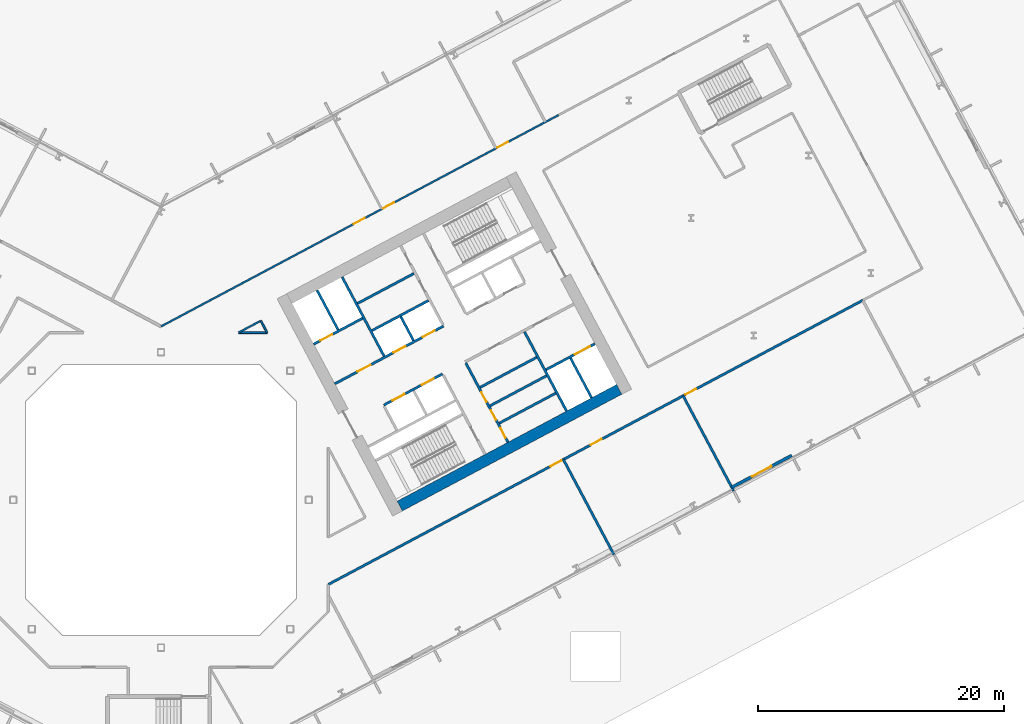
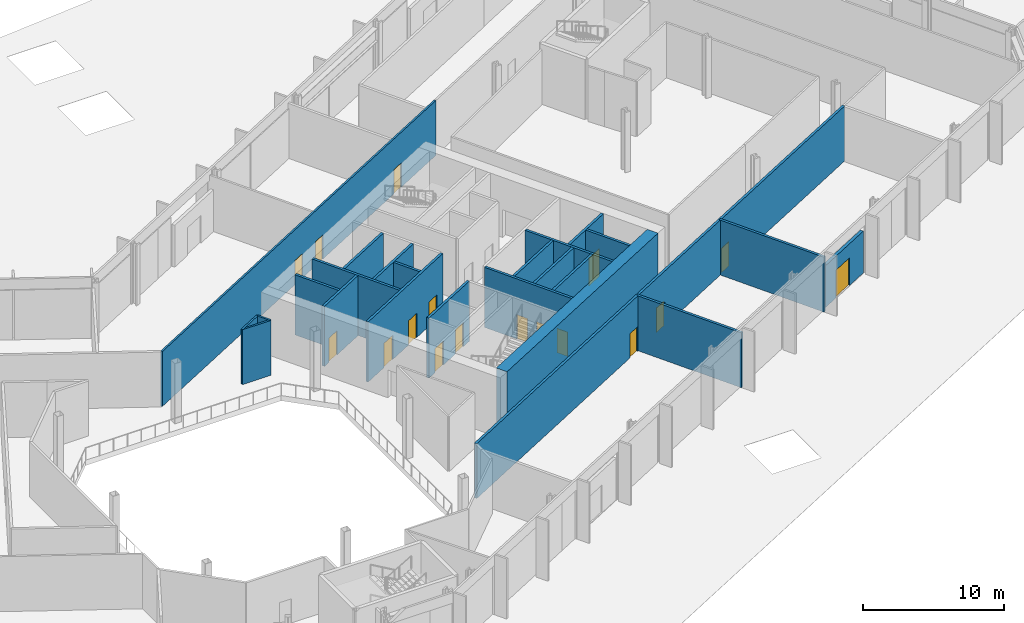
# One storey, part 15 of 30: 24 walls, 17 doors, 17 openings.
"""IFC4 building model written with IfcOpenShell, lengths in metres."""

from ifc_helpers import new_model, si_unit, direction, frame, frame_2d, origin, place, context, subcontext, project, spatial, rectangle, extrude, material, layer, layer_set, type_object, element, fill, save


model = new_model("IFC4")

# Units and contexts
model_context = context("Model", 3, precision=1e-05, world=origin(), true_north=direction((0.0, 1.0)))
body_context = subcontext(model_context, "Body", "Model", "MODEL_VIEW")
ifc_project = project(units=[si_unit("LENGTHUNIT", "METRE"), si_unit("AREAUNIT", "SQUARE_METRE"), si_unit("VOLUMEUNIT", "CUBIC_METRE"), si_unit("PLANEANGLEUNIT", "RADIAN"), si_unit("MASSUNIT", "GRAM", prefix="KILO")], contexts=[model_context])

# Site, building, storey
site_placement = place(None, origin())
site = spatial("IfcSite", under=ifc_project, at=site_placement, CompositionType="ELEMENT")
building_placement = place(site_placement, origin())
building = spatial("IfcBuilding", under=site, at=building_placement, Name="Cormorant Relay Tower", CompositionType="ELEMENT")
storey_placement = place(building_placement, frame((0.0, 0.0, 7.0)))
storey = spatial("IfcBuildingStorey", under=building, at=storey_placement, Name="L01", CompositionType="ELEMENT", Elevation=7.0)

# Walls
ifc_material_1 = material(Name="Concrete 40 MPa", Category="concrete")
ifc_layer_1 = layer(ifc_material_1, 0.199951171875)
ifc_layer_set_1 = layer_set([ifc_layer_1], Name="Core internal wall 200")
wall_type_1 = type_object("IfcWallType", Name="Core internal wall 200", PredefinedType="SOLIDWALL", material=ifc_layer_set_1)
wall_1_placement = place(storey_placement, frame((20.522216796875, 12.950439453125, 0.0), z_axis=(0.0, 0.0, 1.0), x_axis=(-0.469401318492, 0.882984938828, 0.0)))
element("IfcWall", 1, at=wall_1_placement, inside=storey, type_object=wall_type_1, Name="L01 core B shaft and room wall", PredefinedType="SOLIDWALL", context=body_context, shape_type="SweptSolid", body=[
    extrude(rectangle(XDim=2.199951171875, YDim=0.199951171875, at=frame_2d((1.10009765625, 0.0))), origin(), (0.0, 0.0, 1.0), 5.199951171875),
])
for number, where, z_axis, x_axis, name in (
    (2, (27.490234375, 6.23583984375, 0.0), (0.0, 0.0, 1.0), (0.882953967957, 0.469459572775, 0.0), "L01 core B shaft and room wall"),
    (3, (26.739013671875, 7.6484375, 0.0), (0.0, 0.0, 1.0), (0.882934506056, 0.469496174655, 0.0), "L01 core B shaft and room wall"),
    (4, (15.97314453125, 15.968017578125, 0.0), (0.0, 0.0, 1.0), (0.882953967957, 0.469459572775, 0.0), "L01 core B shaft and room wall"),
):
    element("IfcWall", number, at=place(storey_placement, frame(where, z_axis=z_axis, x_axis=x_axis)), inside=storey, type_object=wall_type_1, Name=name, PredefinedType="SOLIDWALL", context=body_context, shape_type="SweptSolid", body=[
        extrude(rectangle(XDim=5.199951171875, YDim=0.199951171875, at=frame_2d((2.60009765625, 0.0))), origin(), (0.0, 0.0, 1.0), 5.199951171875),
    ])
ifc_material_2 = material(Name="Concrete 50 MPa", Category="concrete")
ifc_layer_2 = layer(ifc_material_2, 0.199951171875)
ifc_layer_set_2 = layer_set([ifc_layer_2], Name="Core shaft wall 200")
wall_type_2 = type_object("IfcWallType", Name="Core shaft wall 200", PredefinedType="SHEAR", material=ifc_layer_set_2)
wall_2_placement = place(storey_placement, frame((14.39404296875, 13.825927734375, 0.0), z_axis=(0.0, 0.0, 1.0), x_axis=(-0.469494272526, 0.882935517501, 0.0)))
element("IfcWall", 5, at=wall_2_placement, inside=storey, type_object=wall_type_2, Name="L01 core B shaft wall", PredefinedType="SHEAR", context=body_context, shape_type="SweptSolid", body=[
    extrude(rectangle(XDim=3.64990234375, YDim=0.199951171875, at=frame_2d((1.824951171875, 0.0))), origin(), (0.0, 0.0, 1.0), 5.199951171875),
])
wall_3_placement = place(storey_placement, frame((18.138427734375, 11.682861328125, 0.0), z_axis=(0.0, 0.0, 1.0), x_axis=(-0.469480409012, 0.88294288918, 0.0)))
element("IfcWall", 6, at=wall_3_placement, inside=storey, type_object=wall_type_2, Name="L01 core B shaft wall", PredefinedType="SHEAR", context=body_context, shape_type="SweptSolid", body=[
    extrude(rectangle(XDim=7.300048828125, YDim=0.199951171875, at=frame_2d((3.64990234375, 0.0))), origin(), (0.0, 0.0, 1.0), 5.199951171875),
])

# Wall, openings, doors
wall_4_placement = place(storey_placement, frame((28.199951171875, 4.687744140625, 0.0), z_axis=(0.0, 0.0, 1.0), x_axis=(-0.469454336211, 0.882956752176, 0.0)))
wall_4 = element("IfcWall", 7, at=wall_4_placement, inside=storey, type_object=wall_type_2, Name="L01 core B shaft wall", PredefinedType="SHEAR", context=body_context, shape_type="SweptSolid", body=[
    extrude(rectangle(XDim=7.300048828125, YDim=0.199951171875, at=frame_2d((3.64990234375, 0.0))), origin(), (0.0, 0.0, 1.0), 5.199951171875),
])
opening_1_placement = place(wall_4_placement, frame((0.39990234375, 0.0, 0.0)))
opening_1 = element("IfcOpeningElement", 8, at=opening_1_placement, cuts=wall_4, Name="Opening CDD-060", PredefinedType="OPENING", context=body_context, shape_type="SweptSolid", body=[
    extrude(rectangle(XDim=0.89990234375, YDim=2.10009765625, at=frame_2d((0.449951171875, 1.050048828125))), frame((0.0, 0.10986328125, 0.0), z_axis=(0.0, -1.0, 0.0), x_axis=(1.0, 0.0, 0.0)), (0.0, 0.0, 1.0), 0.219970703125),
])
opening_2_placement = place(wall_4_placement, frame((2.050048828125, 0.0, 0.0)))
opening_2 = element("IfcOpeningElement", 9, at=opening_2_placement, cuts=wall_4, Name="Opening CDD-061", PredefinedType="OPENING", context=body_context, shape_type="SweptSolid", body=[
    extrude(rectangle(XDim=0.89990234375, YDim=2.10009765625, at=frame_2d((0.449951171875, 1.050048828125))), frame((0.0, 0.10986328125, 0.0), z_axis=(0.0, -1.0, 0.0), x_axis=(1.0, 0.0, 0.0)), (0.0, 0.0, 1.0), 0.219970703125),
])
opening_3_placement = place(wall_4_placement, frame((3.699951171875, 0.0, 0.0)))
opening_3 = element("IfcOpeningElement", 10, at=opening_3_placement, cuts=wall_4, Name="Opening CDD-062", PredefinedType="OPENING", context=body_context, shape_type="SweptSolid", body=[
    extrude(rectangle(XDim=0.89990234375, YDim=2.10009765625, at=frame_2d((0.449951171875, 1.050048828125))), frame((0.0, 0.10986328125, 0.0), z_axis=(0.0, -1.0, 0.0), x_axis=(1.0, 0.0, 0.0)), (0.0, 0.0, 1.0), 0.219970703125),
])
ifc_material_3 = material(Name="Steel fire door", Category="steel")
door_type_1 = type_object("IfcDoorType", Name="Core room door 900x2100", OperationType="SINGLE_SWING_LEFT", PredefinedType="DOOR", material=ifc_material_3)
door_1_placement = place(opening_1_placement, frame((0.89990234375, 0.0, 0.0), z_axis=(0.0, 0.0, 1.0), x_axis=(-1.0, 0.0, 0.0)))
door_1 = element("IfcDoor", 11, at=door_1_placement, inside=storey, type_object=door_type_1, Name="Core room door 900x2100", OperationType="SINGLE_SWING_LEFT", OverallHeight=2.10009765625, OverallWidth=0.89990234375, PredefinedType="DOOR", context=body_context, shape_type="SweptSolid", body=[
    extrude(rectangle(XDim=0.89990234375, YDim=2.10009765625, at=frame_2d((0.449951171875, 1.050048828125))), frame((0.0, 0.02490234375, 0.0), z_axis=(0.0, -1.0, 0.0), x_axis=(1.0, 0.0, 0.0)), (0.0, 0.0, 1.0), 0.050048828125),
])
fill(opening_1, door_1)
door_2_placement = place(opening_2_placement, frame((0.89990234375, 0.0, 0.0), z_axis=(0.0, 0.0, 1.0), x_axis=(-1.0, 0.0, 0.0)))
door_2 = element("IfcDoor", 12, at=door_2_placement, inside=storey, type_object=door_type_1, Name="Core room door 900x2100", OperationType="SINGLE_SWING_LEFT", OverallHeight=2.10009765625, OverallWidth=0.89990234375, PredefinedType="DOOR", context=body_context, shape_type="SweptSolid", body=[
    extrude(rectangle(XDim=0.89990234375, YDim=2.10009765625, at=frame_2d((0.449951171875, 1.050048828125))), frame((0.0, 0.02490234375, 0.0), z_axis=(0.0, -1.0, 0.0), x_axis=(1.0, 0.0, 0.0)), (0.0, 0.0, 1.0), 0.050048828125),
])
fill(opening_2, door_2)
door_3_placement = place(opening_3_placement, frame((0.89990234375, 0.0, 0.0), z_axis=(0.0, 0.0, 1.0), x_axis=(-1.0, 0.0, 0.0)))
door_3 = element("IfcDoor", 13, at=door_3_placement, inside=storey, type_object=door_type_1, Name="Core room door 900x2100", OperationType="SINGLE_SWING_LEFT", OverallHeight=2.10009765625, OverallWidth=0.89990234375, PredefinedType="DOOR", context=body_context, shape_type="SweptSolid", body=[
    extrude(rectangle(XDim=0.89990234375, YDim=2.10009765625, at=frame_2d((0.449951171875, 1.050048828125))), frame((0.0, 0.02490234375, 0.0), z_axis=(0.0, -1.0, 0.0), x_axis=(1.0, 0.0, 0.0)), (0.0, 0.0, 1.0), 0.050048828125),
])
fill(opening_3, door_3)

# Walls
wall_5_placement = place(storey_placement, frame((32.968017578125, 7.222900390625, 0.0), z_axis=(0.0, 0.0, 1.0), x_axis=(-0.469480409012, 0.88294288918, 0.0)))
element("IfcWall", 14, at=wall_5_placement, inside=storey, type_object=wall_type_2, Name="L01 core B shaft wall", PredefinedType="SHEAR", context=body_context, shape_type="SweptSolid", body=[
    extrude(rectangle(XDim=7.300048828125, YDim=0.199951171875, at=frame_2d((3.64990234375, 0.0))), origin(), (0.0, 0.0, 1.0), 5.199951171875),
])
wall_6_placement = place(storey_placement, frame((34.998779296875, 8.302734375, 0.0), z_axis=(0.0, 0.0, 1.0), x_axis=(-0.4694665462, 0.882950260207, 0.0)))
element("IfcWall", 15, at=wall_6_placement, inside=storey, type_object=wall_type_2, Name="L01 core B shaft wall", PredefinedType="SHEAR", context=body_context, shape_type="SweptSolid", body=[
    extrude(rectangle(XDim=3.650146484375, YDim=0.199951171875, at=frame_2d((1.8251953125, 0.0))), origin(), (0.0, 0.0, 1.0), 5.199951171875),
])

# Wall, opening, door
wall_7_placement = place(storey_placement, frame((31.295654296875, 10.5810546875, 0.0), z_axis=(0.0, 0.0, 1.0), x_axis=(0.882960433586, 0.469447412093, 0.0)))
wall_7 = element("IfcWall", 16, at=wall_7_placement, inside=storey, type_object=wall_type_2, Name="L01 core B shaft wall", PredefinedType="SHEAR", context=body_context, shape_type="SweptSolid", body=[
    extrude(rectangle(XDim=4.5, YDim=0.199951171875, at=frame_2d((2.25, 0.0))), origin(), (0.0, 0.0, 1.0), 5.199951171875),
])
opening_4_placement = place(wall_7_placement, frame((2.64990234375, 0.0, 0.0)))
opening_4 = element("IfcOpeningElement", 17, at=opening_4_placement, cuts=wall_7, Name="Opening LD3-006", PredefinedType="OPENING", context=body_context, shape_type="SweptSolid", body=[
    extrude(rectangle(XDim=1.39990234375, YDim=2.39990234375, at=frame_2d((0.699951171875, 1.199951171875))), frame((0.0, 0.10986328125, 0.0), z_axis=(0.0, -1.0, 0.0), x_axis=(1.0, 0.0, 0.0)), (0.0, 0.0, 1.0), 0.219970703125),
])
ifc_material_4 = material(Name="Stainless steel 316", Category="steel")
door_type_2 = type_object("IfcDoorType", Name="Lift landing door 1400x2400", OperationType="DOUBLE_DOOR_SLIDING", PredefinedType="DOOR", material=ifc_material_4)
door_4_placement = place(opening_4_placement, origin())
door_4 = element("IfcDoor", 18, at=door_4_placement, inside=storey, type_object=door_type_2, Name="SV2 landing door", OperationType="DOUBLE_DOOR_SLIDING", OverallHeight=2.39990234375, OverallWidth=1.39990234375, PredefinedType="DOOR", context=body_context, shape_type="SweptSolid", body=[
    extrude(rectangle(XDim=1.39990234375, YDim=2.39990234375, at=frame_2d((0.699951171875, 1.199951171875))), frame((0.0, 0.02490234375, 0.0), z_axis=(0.0, -1.0, 0.0), x_axis=(1.0, 0.0, 0.0)), (0.0, 0.0, 1.0), 0.050048828125),
])
fill(opening_4, door_4)

# Wall
wall_8_placement = place(storey_placement, frame((25.94091796875, 9.149658203125, 0.0), z_axis=(0.0, 0.0, 1.0), x_axis=(0.882953967957, 0.469459572775, 0.0)))
element("IfcWall", 19, at=wall_8_placement, inside=storey, type_object=wall_type_2, Name="L01 core B shaft wall", PredefinedType="SHEAR", context=body_context, shape_type="SweptSolid", body=[
    extrude(rectangle(XDim=5.199951171875, YDim=0.199951171875, at=frame_2d((2.60009765625, 0.0))), origin(), (0.0, 0.0, 1.0), 5.199951171875),
])

# Wall, openings, doors
wall_9_placement = place(storey_placement, frame((18.103759765625, 7.70068359375, 0.0), z_axis=(0.0, 0.0, 1.0), x_axis=(0.882952937579, 0.469461510692, 0.0)))
wall_9 = element("IfcWall", 20, at=wall_9_placement, inside=storey, type_object=wall_type_2, Name="L01 core B shaft wall", PredefinedType="SHEAR", context=body_context, shape_type="SweptSolid", body=[
    extrude(rectangle(XDim=5.400146484375, YDim=0.199951171875, at=frame_2d((2.7001953125, 0.0))), origin(), (0.0, 0.0, 1.0), 5.199951171875),
])
opening_5_placement = place(wall_9_placement, frame((0.800048828125, 0.0, 0.0)))
opening_5 = element("IfcOpeningElement", 21, at=opening_5_placement, cuts=wall_9, Name="Opening LD1-016", PredefinedType="OPENING", context=body_context, shape_type="SweptSolid", body=[
    extrude(rectangle(XDim=1.10009765625, YDim=2.10009765625, at=frame_2d((0.550048828125, 1.050048828125))), frame((0.0, 0.10986328125, 0.0), z_axis=(0.0, -1.0, 0.0), x_axis=(1.0, 0.0, 0.0)), (0.0, 0.0, 1.0), 0.219970703125),
])
opening_6_placement = place(wall_9_placement, frame((3.5, 0.0, 0.0)))
opening_6 = element("IfcOpeningElement", 22, at=opening_6_placement, cuts=wall_9, Name="Opening LD1-017", PredefinedType="OPENING", context=body_context, shape_type="SweptSolid", body=[
    extrude(rectangle(XDim=1.10009765625, YDim=2.10009765625, at=frame_2d((0.550048828125, 1.050048828125))), frame((0.0, 0.10986328125, 0.0), z_axis=(0.0, -1.0, 0.0), x_axis=(1.0, 0.0, 0.0)), (0.0, 0.0, 1.0), 0.219970703125),
])
ifc_material_5 = material(Name="Stainless steel 316", Category="steel")
door_type_3 = type_object("IfcDoorType", Name="Lift landing door 1100x2100", OperationType="DOUBLE_DOOR_SLIDING", PredefinedType="DOOR", material=ifc_material_5)
door_5_placement = place(opening_5_placement, origin())
door_5 = element("IfcDoor", 23, at=door_5_placement, inside=storey, type_object=door_type_3, Name="LR5 landing door", OperationType="DOUBLE_DOOR_SLIDING", OverallHeight=2.10009765625, OverallWidth=1.10009765625, PredefinedType="DOOR", context=body_context, shape_type="SweptSolid", body=[
    extrude(rectangle(XDim=1.10009765625, YDim=2.10009765625, at=frame_2d((0.550048828125, 1.050048828125))), frame((0.0, 0.02490234375, 0.0), z_axis=(0.0, -1.0, 0.0), x_axis=(1.0, 0.0, 0.0)), (0.0, 0.0, 1.0), 0.050048828125),
])
fill(opening_5, door_5)
door_6_placement = place(opening_6_placement, origin())
door_6 = element("IfcDoor", 24, at=door_6_placement, inside=storey, type_object=door_type_3, Name="LR6 landing door", OperationType="DOUBLE_DOOR_SLIDING", OverallHeight=2.10009765625, OverallWidth=1.10009765625, PredefinedType="DOOR", context=body_context, shape_type="SweptSolid", body=[
    extrude(rectangle(XDim=1.10009765625, YDim=2.10009765625, at=frame_2d((0.550048828125, 1.050048828125))), frame((0.0, 0.02490234375, 0.0), z_axis=(0.0, -1.0, 0.0), x_axis=(1.0, 0.0, 0.0)), (0.0, 0.0, 1.0), 0.050048828125),
])
fill(opening_6, door_6)

wall_10_placement = place(storey_placement, frame((14.123779296875, 9.43505859375, 0.0), z_axis=(0.0, 0.0, 1.0), x_axis=(0.882940221191, 0.469485426614, 0.0)))
wall_10 = element("IfcWall", 25, at=wall_10_placement, inside=storey, type_object=wall_type_2, Name="L01 core B shaft wall", PredefinedType="SHEAR", context=body_context, shape_type="SweptSolid", body=[
    extrude(rectangle(XDim=10.0, YDim=0.199951171875, at=frame_2d((5.0, 0.0))), origin(), (0.0, 0.0, 1.0), 5.199951171875),
])
opening_7_placement = place(wall_10_placement, frame((2.10009765625, 0.0, 0.0)))
opening_7 = element("IfcOpeningElement", 26, at=opening_7_placement, cuts=wall_10, Name="Opening CDC-011", PredefinedType="OPENING", context=body_context, shape_type="SweptSolid", body=[
    extrude(rectangle(XDim=1.199951171875, YDim=2.10009765625, at=frame_2d((0.60009765625, 1.050048828125))), frame((0.0, 0.10986328125, 0.0), z_axis=(0.0, -1.0, 0.0), x_axis=(1.0, 0.0, 0.0)), (0.0, 0.0, 1.0), 0.219970703125),
])
opening_8_placement = place(wall_10_placement, frame((5.39990234375, 0.0, 0.0)))
opening_8 = element("IfcOpeningElement", 27, at=opening_8_placement, cuts=wall_10, Name="Opening LD1-012", PredefinedType="OPENING", context=body_context, shape_type="SweptSolid", body=[
    extrude(rectangle(XDim=1.10009765625, YDim=2.10009765625, at=frame_2d((0.550048828125, 1.050048828125))), frame((0.0, 0.10986328125, 0.0), z_axis=(0.0, -1.0, 0.0), x_axis=(1.0, 0.0, 0.0)), (0.0, 0.0, 1.0), 0.219970703125),
])
opening_9_placement = place(wall_10_placement, frame((8.10009765625, 0.0, 0.0)))
opening_9 = element("IfcOpeningElement", 28, at=opening_9_placement, cuts=wall_10, Name="Opening LD1-013", PredefinedType="OPENING", context=body_context, shape_type="SweptSolid", body=[
    extrude(rectangle(XDim=1.10009765625, YDim=2.10009765625, at=frame_2d((0.550048828125, 1.050048828125))), frame((0.0, 0.10986328125, 0.0), z_axis=(0.0, -1.0, 0.0), x_axis=(1.0, 0.0, 0.0)), (0.0, 0.0, 1.0), 0.219970703125),
])
ifc_material_6 = material(Name="Steel fire door", Category="steel")
door_type_4 = type_object("IfcDoorType", Name="Core lobby door 1200x2100", OperationType="SINGLE_SWING_LEFT", PredefinedType="DOOR", material=ifc_material_6)
door_7_placement = place(opening_7_placement, origin())
door_7 = element("IfcDoor", 29, at=door_7_placement, inside=storey, type_object=door_type_4, Name="Core lobby door 1200x2100", OperationType="SINGLE_SWING_RIGHT", OverallHeight=2.10009765625, OverallWidth=1.199951171875, PredefinedType="DOOR", context=body_context, shape_type="SweptSolid", body=[
    extrude(rectangle(XDim=1.199951171875, YDim=2.10009765625, at=frame_2d((0.60009765625, 1.050048828125))), frame((0.0, 0.02490234375, 0.0), z_axis=(0.0, -1.0, 0.0), x_axis=(1.0, 0.0, 0.0)), (0.0, 0.0, 1.0), 0.050048828125),
])
fill(opening_7, door_7)
door_8_placement = place(opening_8_placement, origin())
door_8 = element("IfcDoor", 30, at=door_8_placement, inside=storey, type_object=door_type_3, Name="LR1 landing door", OperationType="DOUBLE_DOOR_SLIDING", OverallHeight=2.10009765625, OverallWidth=1.10009765625, PredefinedType="DOOR", context=body_context, shape_type="SweptSolid", body=[
    extrude(rectangle(XDim=1.10009765625, YDim=2.10009765625, at=frame_2d((0.550048828125, 1.050048828125))), frame((0.0, 0.02490234375, 0.0), z_axis=(0.0, -1.0, 0.0), x_axis=(1.0, 0.0, 0.0)), (0.0, 0.0, 1.0), 0.050048828125),
])
fill(opening_8, door_8)
door_9_placement = place(opening_9_placement, origin())
door_9 = element("IfcDoor", 31, at=door_9_placement, inside=storey, type_object=door_type_3, Name="LR2 landing door", OperationType="DOUBLE_DOOR_SLIDING", OverallHeight=2.10009765625, OverallWidth=1.10009765625, PredefinedType="DOOR", context=body_context, shape_type="SweptSolid", body=[
    extrude(rectangle(XDim=1.10009765625, YDim=2.10009765625, at=frame_2d((0.550048828125, 1.050048828125))), frame((0.0, 0.02490234375, 0.0), z_axis=(0.0, -1.0, 0.0), x_axis=(1.0, 0.0, 0.0)), (0.0, 0.0, 1.0), 0.050048828125),
])
fill(opening_9, door_9)

# Wall
wall_11_placement = place(storey_placement, frame((17.146728515625, 13.7607421875, 0.0), z_axis=(0.0, 0.0, 1.0), x_axis=(0.882964314875, 0.469440111896, 0.0)))
element("IfcWall", 32, at=wall_11_placement, inside=storey, type_object=wall_type_2, Name="L01 core B shaft wall", PredefinedType="SHEAR", context=body_context, shape_type="SweptSolid", body=[
    extrude(rectangle(XDim=5.2001953125, YDim=0.199951171875, at=frame_2d((2.60009765625, 0.0))), origin(), (0.0, 0.0, 1.0), 5.199951171875),
])

# Wall, opening, door
wall_12_placement = place(storey_placement, frame((12.41015625, 12.657958984375, 0.0), z_axis=(0.0, 0.0, 1.0), x_axis=(0.8829484765, 0.469469900894, 0.0)))
wall_12 = element("IfcWall", 33, at=wall_12_placement, inside=storey, type_object=wall_type_2, Name="L01 core B shaft wall", PredefinedType="SHEAR", context=body_context, shape_type="SweptSolid", body=[
    extrude(rectangle(XDim=4.499755859375, YDim=0.199951171875, at=frame_2d((2.25, 0.0))), origin(), (0.0, 0.0, 1.0), 5.199951171875),
])
opening_10_placement = place(wall_12_placement, frame((0.60009765625, 0.0, 0.0)))
opening_10 = element("IfcOpeningElement", 34, at=opening_10_placement, cuts=wall_12, Name="Opening LD1-018", PredefinedType="OPENING", context=body_context, shape_type="SweptSolid", body=[
    extrude(rectangle(XDim=1.10009765625, YDim=2.10009765625, at=frame_2d((0.550048828125, 1.050048828125))), frame((0.0, 0.10986328125, 0.0), z_axis=(0.0, -1.0, 0.0), x_axis=(1.0, 0.0, 0.0)), (0.0, 0.0, 1.0), 0.219970703125),
])
door_10_placement = place(opening_10_placement, origin())
door_10 = element("IfcDoor", 35, at=door_10_placement, inside=storey, type_object=door_type_3, Name="FF2 landing door", OperationType="DOUBLE_DOOR_SLIDING", OverallHeight=2.10009765625, OverallWidth=1.10009765625, PredefinedType="DOOR", context=body_context, shape_type="SweptSolid", body=[
    extrude(rectangle(XDim=1.10009765625, YDim=2.10009765625, at=frame_2d((0.550048828125, 1.050048828125))), frame((0.0, 0.02490234375, 0.0), z_axis=(0.0, -1.0, 0.0), x_axis=(1.0, 0.0, 0.0)), (0.0, 0.0, 1.0), 0.050048828125),
])
fill(opening_10, door_10)

# Wall
ifc_material_7 = material(Name="Concrete 70 MPa", Category="concrete")
ifc_layer_3 = layer(ifc_material_7, 0.89990234375)
ifc_layer_set_3 = layer_set([ifc_layer_3], Name="Core wall 900")
wall_type_3 = type_object("IfcWallType", Name="Core wall 900", PredefinedType="SHEAR", material=ifc_layer_set_3)
wall_13_placement = place(storey_placement, frame((19.4052734375, -0.498046875, 0.0), z_axis=(0.0, 0.0, 1.0), x_axis=(0.88294509198, 0.469476266226, 0.0)))
element("IfcWall", 36, at=wall_13_placement, inside=storey, type_object=wall_type_3, Name="L01 core B wall", PredefinedType="SHEAR", context=body_context, shape_type="SweptSolid", body=[
    extrude(rectangle(XDim=20.199951171875, YDim=0.89990234375, at=frame_2d((10.10009765625, 0.0))), origin(), (0.0, 0.0, 1.0), 5.199951171875),
])

# Wall, openings, doors
ifc_material_8 = material(Name="Fire-rated gypsum board partition")
ifc_layer_4 = layer(ifc_material_8, 0.199951171875)
ifc_layer_set_4 = layer_set([ifc_layer_4], Name="Fire-rated gypsum partition 200")
wall_type_4 = type_object("IfcWallType", Name="Fire-rated gypsum partition 200", PredefinedType="PARTITIONING", material=ifc_layer_set_4)
wall_14_placement = place(storey_placement, frame((57.041015625, 16.22900390625, 0.0), z_axis=(0.0, 0.0, 1.0), x_axis=(-0.882947975476, -0.469470843188, 0.0)))
wall_14 = element("IfcWall", 37, at=wall_14_placement, inside=storey, type_object=wall_type_4, Name="wall/L01/part/56", PredefinedType="PARTITIONING", context=body_context, shape_type="SweptSolid", body=[
    extrude(rectangle(XDim=49.199951171875, YDim=0.199951171875, at=frame_2d((24.60009765625, 0.0))), origin(), (0.0, 0.0, 1.0), 4.75),
])
opening_11_placement = place(wall_14_placement, frame((27.75, 0.0, 0.0)))
opening_11 = element("IfcOpeningElement", 38, at=opening_11_placement, cuts=wall_14, Name="Opening FD1-008", PredefinedType="OPENING", context=body_context, shape_type="SweptSolid", body=[
    extrude(rectangle(XDim=1.0, YDim=2.10009765625, at=frame_2d((0.5, 1.050048828125))), frame((0.0, 0.10986328125, 0.0), z_axis=(0.0, -1.0, 0.0), x_axis=(1.0, 0.0, 0.0)), (0.0, 0.0, 1.0), 0.219970703125),
])
opening_12_placement = place(wall_14_placement, frame((24.050048828125, 0.0, 0.0)))
opening_12 = element("IfcOpeningElement", 39, at=opening_12_placement, cuts=wall_14, Name="Opening FD1-009", PredefinedType="OPENING", context=body_context, shape_type="SweptSolid", body=[
    extrude(rectangle(XDim=1.0, YDim=2.10009765625, at=frame_2d((0.5, 1.050048828125))), frame((0.0, 0.10986328125, 0.0), z_axis=(0.0, -1.0, 0.0), x_axis=(1.0, 0.0, 0.0)), (0.0, 0.0, 1.0), 0.219970703125),
])
opening_13_placement = place(wall_14_placement, frame((15.35009765625, 0.0, 0.0)))
opening_13 = element("IfcOpeningElement", 40, at=opening_13_placement, cuts=wall_14, Name="Opening FD1-010", PredefinedType="OPENING", context=body_context, shape_type="SweptSolid", body=[
    extrude(rectangle(XDim=1.0, YDim=2.10009765625, at=frame_2d((0.5, 1.050048828125))), frame((0.0, 0.10986328125, 0.0), z_axis=(0.0, -1.0, 0.0), x_axis=(1.0, 0.0, 0.0)), (0.0, 0.0, 1.0), 0.219970703125),
])
ifc_material_9 = material(Name="Fire-rated steel door", Category="steel")
door_type_5 = type_object("IfcDoorType", Name="Fire door 1000 x 2100", OperationType="SINGLE_SWING_LEFT", PredefinedType="DOOR", material=ifc_material_9)
door_11_placement = place(opening_11_placement, origin())
door_11 = element("IfcDoor", 41, at=door_11_placement, inside=storey, type_object=door_type_5, Name="door/L01/4", OperationType="SINGLE_SWING_LEFT", OverallHeight=2.10009765625, OverallWidth=1.0, PredefinedType="DOOR", context=body_context, shape_type="SweptSolid", body=[
    extrude(rectangle(XDim=1.0, YDim=2.10009765625, at=frame_2d((0.5, 1.050048828125))), frame((0.0, 0.02490234375, 0.0), z_axis=(0.0, -1.0, 0.0), x_axis=(1.0, 0.0, 0.0)), (0.0, 0.0, 1.0), 0.050048828125),
])
fill(opening_11, door_11)
door_12_placement = place(opening_12_placement, origin())
door_12 = element("IfcDoor", 42, at=door_12_placement, inside=storey, type_object=door_type_5, Name="door/L01/5", OperationType="SINGLE_SWING_RIGHT", OverallHeight=2.10009765625, OverallWidth=1.0, PredefinedType="DOOR", context=body_context, shape_type="SweptSolid", body=[
    extrude(rectangle(XDim=1.0, YDim=2.10009765625, at=frame_2d((0.5, 1.050048828125))), frame((0.0, 0.02490234375, 0.0), z_axis=(0.0, -1.0, 0.0), x_axis=(1.0, 0.0, 0.0)), (0.0, 0.0, 1.0), 0.050048828125),
])
fill(opening_12, door_12)
door_13_placement = place(opening_13_placement, origin())
door_13 = element("IfcDoor", 43, at=door_13_placement, inside=storey, type_object=door_type_5, Name="door/L01/6", OperationType="SINGLE_SWING_RIGHT", OverallHeight=2.10009765625, OverallWidth=1.0, PredefinedType="DOOR", context=body_context, shape_type="SweptSolid", body=[
    extrude(rectangle(XDim=1.0, YDim=2.10009765625, at=frame_2d((0.5, 1.050048828125))), frame((0.0, 0.02490234375, 0.0), z_axis=(0.0, -1.0, 0.0), x_axis=(1.0, 0.0, 0.0)), (0.0, 0.0, 1.0), 0.050048828125),
])
fill(opening_13, door_13)

# Walls
wall_15_placement = place(storey_placement, frame((36.80908203125, -4.43896484375, 0.0), z_axis=(0.0, 0.0, 1.0), x_axis=(-0.469482945701, 0.882941540361, 0.0)))
element("IfcWall", 44, at=wall_15_placement, inside=storey, type_object=wall_type_4, Name="wall/L01/part/63", PredefinedType="PARTITIONING", context=body_context, shape_type="SweptSolid", body=[
    extrude(rectangle(XDim=8.75048828125, YDim=0.199951171875, at=frame_2d((4.375244140625, 0.0))), origin(), (0.0, 0.0, 1.0), 4.75),
])
wall_16_placement = place(storey_placement, frame((42.43505859375, 8.4619140625, 0.0), z_axis=(0.0, 0.0, 1.0), x_axis=(0.469519026901, -0.882922354105, 0.0)))
element("IfcWall", 45, at=wall_16_placement, inside=storey, type_object=wall_type_4, Name="wall/L01/part/64", PredefinedType="PARTITIONING", context=body_context, shape_type="SweptSolid", body=[
    extrude(rectangle(XDim=8.749267578125, YDim=0.199951171875, at=frame_2d((4.37451171875, 0.0))), origin(), (0.0, 0.0, 1.0), 4.75),
])

# Wall, opening, door
ifc_material_10 = material(Name="Bronze anodised aluminium cladding on steel stud", Category="steel")
ifc_layer_5 = layer(ifc_material_10, 0.25)
ifc_layer_set_5 = layer_set([ifc_layer_5], Name="Garden entrance wall 250")
wall_type_5 = type_object("IfcWallType", Name="Garden entrance wall 250", PredefinedType="STANDARD", material=ifc_layer_set_5)
wall_17_placement = place(storey_placement, frame((46.39013671875, 1.023681640625, 0.0), z_axis=(0.0, 0.0, 1.0), x_axis=(0.88294935199, 0.469468254326, 0.0)))
wall_17 = element("IfcWall", 46, at=wall_17_placement, inside=storey, type_object=wall_type_5, Name="Garden entrance wall", PredefinedType="STANDARD", context=body_context, shape_type="SweptSolid", body=[
    extrude(rectangle(XDim=5.511962890625, YDim=0.25, at=frame_2d((2.755859375, 0.0))), origin(), (0.0, 0.0, 1.0), 3.612060546875),
])
opening_14_placement = place(wall_17_placement, frame((1.85595703125, 0.0, 0.0)))
opening_14 = element("IfcOpeningElement", 47, at=opening_14_placement, cuts=wall_17, Name="Opening PD7-002", PredefinedType="OPENING", context=body_context, shape_type="SweptSolid", body=[
    extrude(rectangle(XDim=1.800048828125, YDim=2.39990234375, at=frame_2d((0.89990234375, 1.199951171875))), frame((0.0, 0.135009765625, 0.0), z_axis=(0.0, -1.0, 0.0), x_axis=(1.0, 0.0, 0.0)), (0.0, 0.0, 1.0), 0.27001953125),
])
ifc_material_11 = material(Name="Bronze framed glass door", Category="glass")
door_type_6 = type_object("IfcDoorType", Name="Door garden glazed 1800", OperationType="DOUBLE_DOOR_SINGLE_SWING", PredefinedType="DOOR", material=ifc_material_11)
door_14_placement = place(opening_14_placement, frame((1.800048828125, 0.0, 0.0), z_axis=(0.0, 0.0, 1.0), x_axis=(-1.0, 0.0, 0.0)))
door_14 = element("IfcDoor", 48, at=door_14_placement, inside=storey, type_object=door_type_6, Name="Garden door", OperationType="DOUBLE_DOOR_SINGLE_SWING", OverallHeight=2.39990234375, OverallWidth=1.800048828125, PredefinedType="DOOR", context=body_context, shape_type="SweptSolid", body=[
    extrude(rectangle(XDim=1.800048828125, YDim=2.39990234375, at=frame_2d((0.89990234375, 1.199951171875))), frame((0.0, 0.02490234375, 0.0), z_axis=(0.0, -1.0, 0.0), x_axis=(1.0, 0.0, 0.0)), (0.0, 0.0, 1.0), 0.050048828125),
])
fill(opening_14, door_14)

# Wall, openings, doors
ifc_material_12 = material(Name="Gypsum board partition")
ifc_layer_6 = layer(ifc_material_12, 0.14990234375)
ifc_layer_set_6 = layer_set([ifc_layer_6], Name="Gypsum board partition 150")
wall_type_6 = type_object("IfcWallType", Name="Gypsum board partition 150", PredefinedType="PARTITIONING", material=ifc_layer_set_6)
wall_18_placement = place(storey_placement, frame((0.0, 14.10009765625, 0.0), z_axis=(0.0, 0.0, 1.0), x_axis=(0.882942713919, 0.469480738623, 0.0)))
wall_18 = element("IfcWall", 49, at=wall_18_placement, inside=storey, type_object=wall_type_6, Name="wall/L01/part/35", PredefinedType="PARTITIONING", context=body_context, shape_type="SweptSolid", body=[
    extrude(rectangle(XDim=36.59130859375, YDim=0.14990234375, at=frame_2d((18.295654296875, 0.0))), origin(), (0.0, 0.0, 1.0), 4.75),
])
opening_15_placement = place(wall_18_placement, frame((30.949951171875, 0.0, 0.0)))
opening_15 = element("IfcOpeningElement", 50, at=opening_15_placement, cuts=wall_18, Name="Opening D1-010", PredefinedType="OPENING", context=body_context, shape_type="SweptSolid", body=[
    extrude(rectangle(XDim=1.0, YDim=2.10009765625, at=frame_2d((0.5, 1.050048828125))), frame((0.0, 0.0849609375, 0.0), z_axis=(0.0, -1.0, 0.0), x_axis=(1.0, 0.0, 0.0)), (0.0, 0.0, 1.0), 0.169921875),
])
opening_16_placement = place(wall_18_placement, frame((20.449951171875, 0.0, 0.0)))
opening_16 = element("IfcOpeningElement", 51, at=opening_16_placement, cuts=wall_18, Name="Opening D1-001", PredefinedType="OPENING", context=body_context, shape_type="SweptSolid", body=[
    extrude(rectangle(XDim=1.0, YDim=2.10009765625, at=frame_2d((0.5, 1.050048828125))), frame((0.0, 0.0849609375, 0.0), z_axis=(0.0, -1.0, 0.0), x_axis=(1.0, 0.0, 0.0)), (0.0, 0.0, 1.0), 0.169921875),
])
opening_17_placement = place(wall_18_placement, frame((17.75, 0.0, 0.0)))
opening_17 = element("IfcOpeningElement", 52, at=opening_17_placement, cuts=wall_18, Name="Opening D1-002", PredefinedType="OPENING", context=body_context, shape_type="SweptSolid", body=[
    extrude(rectangle(XDim=1.0, YDim=2.10009765625, at=frame_2d((0.5, 1.050048828125))), frame((0.0, 0.0849609375, 0.0), z_axis=(0.0, -1.0, 0.0), x_axis=(1.0, 0.0, 0.0)), (0.0, 0.0, 1.0), 0.169921875),
])
ifc_material_13 = material(Name="Painted steel door", Category="steel")
door_type_7 = type_object("IfcDoorType", Name="Single door 1000 x 2100", OperationType="SINGLE_SWING_LEFT", PredefinedType="DOOR", material=ifc_material_13)
door_15_placement = place(opening_15_placement, origin())
door_15 = element("IfcDoor", 53, at=door_15_placement, inside=storey, type_object=door_type_7, Name="door/L01/9", OperationType="SINGLE_SWING_LEFT", OverallHeight=2.10009765625, OverallWidth=1.0, PredefinedType="DOOR", context=body_context, shape_type="SweptSolid", body=[
    extrude(rectangle(XDim=1.0, YDim=2.10009765625, at=frame_2d((0.5, 1.050048828125))), frame((0.0, 0.02490234375, 0.0), z_axis=(0.0, -1.0, 0.0), x_axis=(1.0, 0.0, 0.0)), (0.0, 0.0, 1.0), 0.050048828125),
])
fill(opening_15, door_15)
door_16_placement = place(opening_16_placement, origin())
door_16 = element("IfcDoor", 54, at=door_16_placement, inside=storey, type_object=door_type_7, Name="door/L01/10", OperationType="SINGLE_SWING_LEFT", OverallHeight=2.10009765625, OverallWidth=1.0, PredefinedType="DOOR", context=body_context, shape_type="SweptSolid", body=[
    extrude(rectangle(XDim=1.0, YDim=2.10009765625, at=frame_2d((0.5, 1.050048828125))), frame((0.0, 0.02490234375, 0.0), z_axis=(0.0, -1.0, 0.0), x_axis=(1.0, 0.0, 0.0)), (0.0, 0.0, 1.0), 0.050048828125),
])
fill(opening_16, door_16)
door_17_placement = place(opening_17_placement, origin())
door_17 = element("IfcDoor", 55, at=door_17_placement, inside=storey, type_object=door_type_7, Name="door/L01/11", OperationType="SINGLE_SWING_LEFT", OverallHeight=2.10009765625, OverallWidth=1.0, PredefinedType="DOOR", context=body_context, shape_type="SweptSolid", body=[
    extrude(rectangle(XDim=1.0, YDim=2.10009765625, at=frame_2d((0.5, 1.050048828125))), frame((0.0, 0.02490234375, 0.0), z_axis=(0.0, -1.0, 0.0), x_axis=(1.0, 0.0, 0.0)), (0.0, 0.0, 1.0), 0.050048828125),
])
fill(opening_17, door_17)

# Walls
wall_19_placement = place(storey_placement, frame((8.625, 13.60009765625, 0.0), z_axis=(0.0, 0.0, 1.0), x_axis=(-0.469460742142, 0.882953346212, 0.0)))
element("IfcWall", 56, at=wall_19_placement, inside=storey, type_object=wall_type_6, Name="wall/L01/part/87", PredefinedType="PARTITIONING", context=body_context, shape_type="SweptSolid", body=[
    extrude(rectangle(XDim=1.090576171875, YDim=0.14990234375, at=frame_2d((0.54541015625, 0.0))), origin(), (0.0, 0.0, 1.0), 4.75),
])
wall_20_placement = place(storey_placement, frame((8.113037109375, 14.56298828125, 0.0), z_axis=(0.0, 0.0, 1.0), x_axis=(-0.88306333775, -0.469253813539, 0.0)))
element("IfcWall", 57, at=wall_20_placement, inside=storey, type_object=wall_type_6, Name="wall/L01/part/88", PredefinedType="PARTITIONING", context=body_context, shape_type="SweptSolid", body=[
    extrude(rectangle(XDim=2.052001953125, YDim=0.14990234375, at=frame_2d((1.02587890625, 0.0))), origin(), (0.0, 0.0, 1.0), 4.75),
])
wall_21_placement = place(storey_placement, frame((6.301025390625, 13.60009765625, 0.0), z_axis=(0.0, 0.0, 1.0), x_axis=(1.0, 0.0, 0.0)))
element("IfcWall", 58, at=wall_21_placement, inside=storey, type_object=wall_type_6, Name="wall/L01/part/89", PredefinedType="PARTITIONING", context=body_context, shape_type="SweptSolid", body=[
    extrude(rectangle(XDim=2.323974609375, YDim=0.14990234375, at=frame_2d((1.162109375, 0.0))), origin(), (0.0, 0.0, 1.0), 4.75),
])

save(model, "model.ifc")
